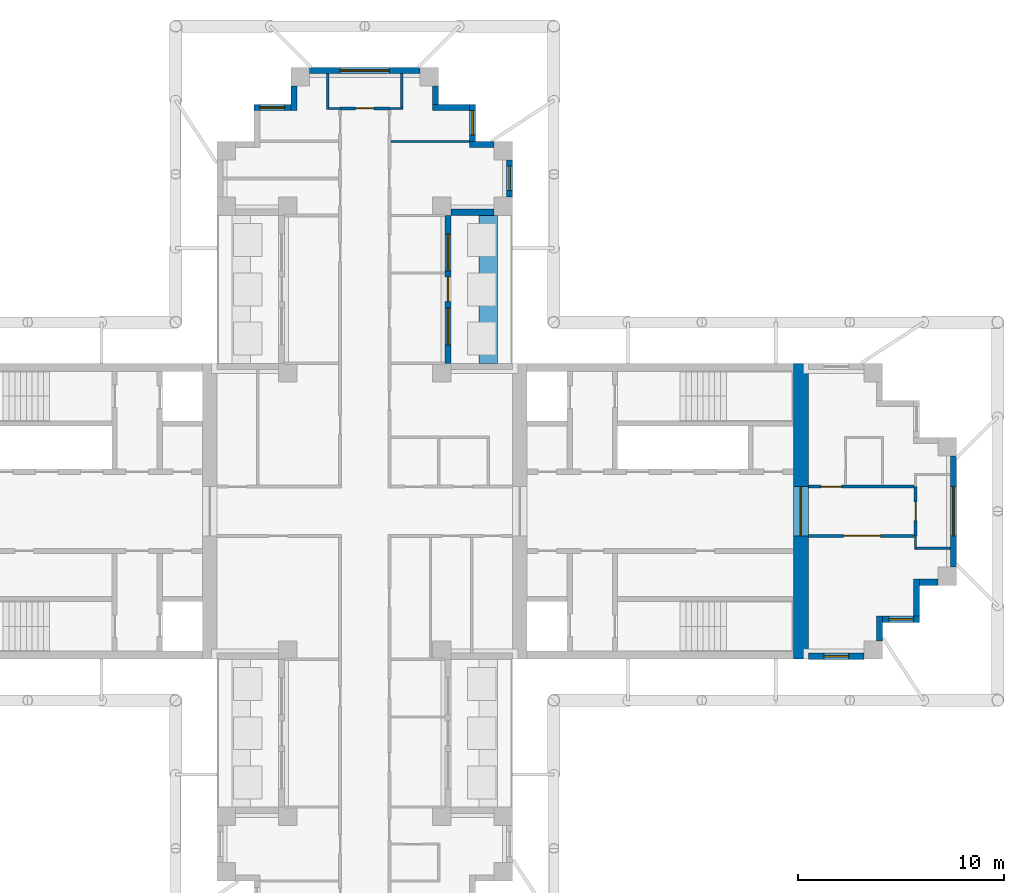
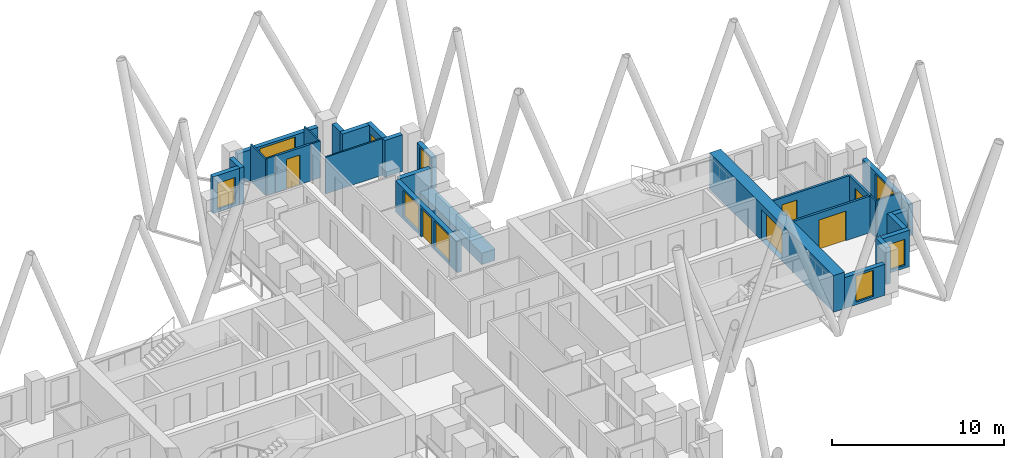
# One storey, part 8 of 12: 29 walls, 9 windows, 6 doors, 15 openings.
"""IFC4 building model written with IfcOpenShell, lengths in metres."""

from ifc_helpers import new_model, si_unit, direction, frame, frame_2d, origin, place, context, subcontext, project, spatial, rectangle, extrude, material, layer, layer_set, type_object, element, fill, save


model = new_model("IFC4")

# Units and contexts
model_context = context("Model", 3, precision=1e-05, world=origin(), true_north=direction((0.0, 1.0)))
body_context = subcontext(model_context, "Body", "Model", "MODEL_VIEW")
ifc_project = project(units=[si_unit("LENGTHUNIT", "METRE"), si_unit("AREAUNIT", "SQUARE_METRE"), si_unit("VOLUMEUNIT", "CUBIC_METRE"), si_unit("PLANEANGLEUNIT", "RADIAN"), si_unit("MASSUNIT", "GRAM", prefix="KILO")], contexts=[model_context])

# Site, building, storey
site_placement = place(None, origin())
site = spatial("IfcSite", under=ifc_project, at=site_placement, CompositionType="ELEMENT")
building_placement = place(site_placement, origin())
building = spatial("IfcBuilding", under=site, at=building_placement, Name="Fustian Cross Tower", CompositionType="ELEMENT")
storey_placement = place(building_placement, frame((0.0, 0.0, 188.699951171875)))
storey = spatial("IfcBuildingStorey", under=building, at=storey_placement, Name="L59", CompositionType="ELEMENT", Elevation=188.699951171875)

# Wall, opening, door
ifc_material_1 = material(Name="Plasterboard on steel stud", Category="steel")
ifc_layer_1 = layer(ifc_material_1, 0.14990234375)
ifc_layer_set_1 = layer_set([ifc_layer_1], Name="Plasterboard on steel stud")
wall_type_1 = type_object("IfcWallType", Name="COMPARTMENT WALL 150 EI 60", PredefinedType="PARTITIONING", material=ifc_layer_set_1)
wall_1_placement = place(storey_placement, frame((-1.199951171875, 19.60009765625, 0.0), z_axis=(0.0, 0.0, 1.0), x_axis=(1.0, 0.0, 0.0)))
wall_1 = element("IfcWall", 1, at=wall_1_placement, inside=storey, type_object=wall_type_1, Name="Partition 30", PredefinedType="PARTITIONING", context=body_context, shape_type="SweptSolid", body=[
    extrude(rectangle(XDim=2.39990234375, YDim=0.14990234375, at=frame_2d((1.199951171875, 0.0))), origin(), (0.0, 0.0, 1.0), 2.60009765625),
])
opening_1_placement = place(wall_1_placement, frame((0.75, 0.0, 0.0)))
opening_1 = element("IfcOpeningElement", 2, at=opening_1_placement, cuts=wall_1, Name="Opening D27014", PredefinedType="OPENING", context=body_context, shape_type="SweptSolid", body=[
    extrude(rectangle(XDim=0.89990234375, YDim=2.10009765625, at=frame_2d((0.449951171875, 1.050048828125))), frame((0.0, 0.0849609375, 0.0), z_axis=(0.0, -1.0, 0.0), x_axis=(1.0, 0.0, 0.0)), (0.0, 0.0, 1.0), 0.169921875),
])
ifc_material_2 = material(Name="Timber fire door set", Category="wood")
door_type_1 = type_object("IfcDoorType", Name="FIRE SWING DOOR 900 FD30S", OperationType="SINGLE_SWING_LEFT", PredefinedType="DOOR", material=ifc_material_2)
door_1_placement = place(opening_1_placement, origin())
door_1 = element("IfcDoor", 3, at=door_1_placement, inside=storey, type_object=door_type_1, Name="Door D27014", OperationType="SINGLE_SWING_LEFT", OverallHeight=2.10009765625, OverallWidth=0.89990234375, PredefinedType="DOOR", context=body_context, shape_type="SweptSolid", body=[
    extrude(rectangle(XDim=0.89990234375, YDim=2.10009765625, at=frame_2d((0.449951171875, 1.050048828125))), frame((0.0, 0.02490234375, 0.0), z_axis=(0.0, -1.0, 0.0), x_axis=(1.0, 0.0, 0.0)), (0.0, 0.0, 1.0), 0.050048828125),
])
fill(opening_1, door_1)

wall_2_placement = place(storey_placement, frame((21.60009765625, -1.199951171875, 0.0), z_axis=(0.0, 0.0, 1.0), x_axis=(1.0, 0.0, 0.0)))
wall_2 = element("IfcWall", 4, at=wall_2_placement, inside=storey, type_object=wall_type_1, Name="Partition 54", PredefinedType="PARTITIONING", context=body_context, shape_type="SweptSolid", body=[
    extrude(rectangle(XDim=5.125, YDim=0.14990234375, at=frame_2d((2.5625, 0.0))), origin(), (0.0, 0.0, 1.0), 2.60009765625),
])
opening_2_placement = place(wall_2_placement, frame((1.699951171875, 0.0, 0.0)))
opening_2 = element("IfcOpeningElement", 5, at=opening_2_placement, cuts=wall_2, Name="Opening D27013", PredefinedType="OPENING", context=body_context, shape_type="SweptSolid", body=[
    extrude(rectangle(XDim=1.800048828125, YDim=2.10009765625, at=frame_2d((0.89990234375, 1.050048828125))), frame((0.0, 0.0849609375, 0.0), z_axis=(0.0, -1.0, 0.0), x_axis=(1.0, 0.0, 0.0)), (0.0, 0.0, 1.0), 0.169921875),
])
ifc_material_3 = material(Name="Timber fire door set", Category="wood")
door_type_2 = type_object("IfcDoorType", Name="FIRE DOUBLE DOOR 1800 FD30S", OperationType="DOUBLE_DOOR_DOUBLE_SWING", PredefinedType="DOOR", material=ifc_material_3)
door_2_placement = place(opening_2_placement, origin())
door_2 = element("IfcDoor", 6, at=door_2_placement, inside=storey, type_object=door_type_2, Name="Door D27013", OperationType="DOUBLE_DOOR_DOUBLE_SWING", OverallHeight=2.10009765625, OverallWidth=1.800048828125, PredefinedType="DOOR", context=body_context, shape_type="SweptSolid", body=[
    extrude(rectangle(XDim=1.800048828125, YDim=2.10009765625, at=frame_2d((0.89990234375, 1.050048828125))), frame((0.0, 0.02490234375, 0.0), z_axis=(0.0, -1.0, 0.0), x_axis=(1.0, 0.0, 0.0)), (0.0, 0.0, 1.0), 0.050048828125),
])
fill(opening_2, door_2)

wall_3_placement = place(storey_placement, frame((21.60009765625, 1.199951171875, 0.0), z_axis=(0.0, 0.0, 1.0), x_axis=(1.0, 0.0, 0.0)))
wall_3 = element("IfcWall", 7, at=wall_3_placement, inside=storey, type_object=wall_type_1, Name="Partition 55", PredefinedType="PARTITIONING", context=body_context, shape_type="SweptSolid", body=[
    extrude(rectangle(XDim=5.125, YDim=0.14990234375, at=frame_2d((2.5625, 0.0))), origin(), (0.0, 0.0, 1.0), 2.60009765625),
])
opening_3_placement = place(wall_3_placement, frame((0.60009765625, 0.0, 0.0)))
opening_3 = element("IfcOpeningElement", 8, at=opening_3_placement, cuts=wall_3, Name="Opening D27012", PredefinedType="OPENING", context=body_context, shape_type="SweptSolid", body=[
    extrude(rectangle(XDim=1.0, YDim=2.10009765625, at=frame_2d((0.5, 1.050048828125))), frame((0.0, 0.0849609375, 0.0), z_axis=(0.0, -1.0, 0.0), x_axis=(1.0, 0.0, 0.0)), (0.0, 0.0, 1.0), 0.169921875),
])
ifc_material_4 = material(Name="Timber fire door set", Category="wood")
door_type_3 = type_object("IfcDoorType", Name="FIRE SWING DOOR 1000 FD30S", OperationType="SINGLE_SWING_LEFT", PredefinedType="DOOR", material=ifc_material_4)
door_3_placement = place(opening_3_placement, origin())
door_3 = element("IfcDoor", 9, at=door_3_placement, inside=storey, type_object=door_type_3, Name="Door D27012", OperationType="SINGLE_SWING_RIGHT", OverallHeight=2.10009765625, OverallWidth=1.0, PredefinedType="DOOR", context=body_context, shape_type="SweptSolid", body=[
    extrude(rectangle(XDim=1.0, YDim=2.10009765625, at=frame_2d((0.5, 1.050048828125))), frame((0.0, 0.02490234375, 0.0), z_axis=(0.0, -1.0, 0.0), x_axis=(1.0, 0.0, 0.0)), (0.0, 0.0, 1.0), 0.050048828125),
])
fill(opening_3, door_3)

wall_4_placement = place(storey_placement, frame((26.800048828125, -1.199951171875, 0.0), z_axis=(0.0, 0.0, 1.0), x_axis=(0.0, 1.0, 0.0)))
wall_4 = element("IfcWall", 10, at=wall_4_placement, inside=storey, type_object=wall_type_1, Name="Partition 61", PredefinedType="PARTITIONING", context=body_context, shape_type="SweptSolid", body=[
    extrude(rectangle(XDim=2.39990234375, YDim=0.14990234375, at=frame_2d((1.199951171875, 0.0))), origin(), (0.0, 0.0, 1.0), 2.60009765625),
])
opening_4_placement = place(wall_4_placement, frame((0.75, 0.0, 0.0)))
opening_4 = element("IfcOpeningElement", 11, at=opening_4_placement, cuts=wall_4, Name="Opening D27010", PredefinedType="OPENING", context=body_context, shape_type="SweptSolid", body=[
    extrude(rectangle(XDim=0.89990234375, YDim=2.10009765625, at=frame_2d((0.449951171875, 1.050048828125))), frame((0.0, 0.0849609375, 0.0), z_axis=(0.0, -1.0, 0.0), x_axis=(1.0, 0.0, 0.0)), (0.0, 0.0, 1.0), 0.169921875),
])
door_4_placement = place(opening_4_placement, frame((0.89990234375, 0.0, 0.0), z_axis=(0.0, 0.0, 1.0), x_axis=(-1.0, 0.0, 0.0)))
door_4 = element("IfcDoor", 12, at=door_4_placement, inside=storey, type_object=door_type_1, Name="Door D27010", OperationType="SINGLE_SWING_RIGHT", OverallHeight=2.10009765625, OverallWidth=0.89990234375, PredefinedType="DOOR", context=body_context, shape_type="SweptSolid", body=[
    extrude(rectangle(XDim=0.89990234375, YDim=2.10009765625, at=frame_2d((0.449951171875, 1.050048828125))), frame((0.0, 0.02490234375, 0.0), z_axis=(0.0, -1.0, 0.0), x_axis=(1.0, 0.0, 0.0)), (0.0, 0.0, 1.0), 0.050048828125),
])
fill(opening_4, door_4)

ifc_material_5 = material(Name="Concrete C50/60", Category="concrete")
ifc_layer_2 = layer(ifc_material_5, 0.75)
ifc_layer_set_2 = layer_set([ifc_layer_2], Name="Concrete C50/60")
wall_type_2 = type_object("IfcWallType", Name="CORE END WALL 750 C50/60", PredefinedType="SHEAR", material=ifc_layer_set_2)
wall_5_placement = place(storey_placement, frame((21.22509765625, -7.199951171875, 0.0), z_axis=(0.0, 0.0, 1.0), x_axis=(0.0, 1.0, 0.0)))
wall_5 = element("IfcWall", 13, at=wall_5_placement, inside=storey, type_object=wall_type_2, Name="Core end wall", PredefinedType="SHEAR", context=body_context, shape_type="SweptSolid", body=[
    extrude(rectangle(XDim=14.39990234375, YDim=0.75, at=frame_2d((7.199951171875, 0.0))), origin(), (0.0, 0.0, 1.0), 2.60009765625),
])
opening_5_placement = place(wall_5_placement, frame((6.0, 0.0, 0.0)))
opening_5 = element("IfcOpeningElement", 14, at=opening_5_placement, cuts=wall_5, Name="Opening CD-24-13", PredefinedType="OPENING", context=body_context, shape_type="SweptSolid", body=[
    extrude(rectangle(XDim=2.39990234375, YDim=2.199951171875, at=frame_2d((1.199951171875, 1.10009765625))), frame((0.0, 0.385009765625, 0.0), z_axis=(0.0, -1.0, 0.0), x_axis=(1.0, 0.0, 0.0)), (0.0, 0.0, 1.0), 0.77001953125),
])
ifc_material_6 = material(Name="Steel", Category="steel")
door_type_4 = type_object("IfcDoorType", Name="FIRE DOOR FD30S DOUBLE 2400X2200", OperationType="DOUBLE_DOOR_DOUBLE_SWING", PredefinedType="DOOR", material=ifc_material_6)
door_5_placement = place(opening_5_placement, origin())
door_5 = element("IfcDoor", 15, at=door_5_placement, inside=storey, type_object=door_type_4, Name="Core door CD-24-13", OperationType="DOUBLE_DOOR_DOUBLE_SWING", OverallHeight=2.199951171875, OverallWidth=2.39990234375, PredefinedType="DOOR", context=body_context, shape_type="SweptSolid", body=[
    extrude(rectangle(XDim=2.39990234375, YDim=2.199951171875, at=frame_2d((1.199951171875, 1.10009765625))), frame((0.0, 0.02490234375, 0.0), z_axis=(0.0, -1.0, 0.0), x_axis=(1.0, 0.0, 0.0)), (0.0, 0.0, 1.0), 0.050048828125),
])
fill(opening_5, door_5)

# Walls
ifc_material_7 = material(Name="Plasterboard on steel stud", Category="steel")
ifc_layer_3 = layer(ifc_material_7, 0.10009765625)
ifc_layer_set_3 = layer_set([ifc_layer_3], Name="Plasterboard on steel stud")
wall_type_3 = type_object("IfcWallType", Name="PARTITION 100 STUD", PredefinedType="PARTITIONING", material=ifc_layer_set_3)
wall_6_placement = place(storey_placement, frame((-1.800048828125, 19.550048828125, 0.0), z_axis=(0.0, 0.0, 1.0), x_axis=(0.0, 1.0, 0.0)))
element("IfcWall", 16, at=wall_6_placement, inside=storey, type_object=wall_type_3, Name="Partition 25", PredefinedType="PARTITIONING", context=body_context, shape_type="SweptSolid", body=[
    extrude(rectangle(XDim=1.75, YDim=0.10009765625, at=frame_2d((0.875, 0.0))), origin(), (0.0, 0.0, 1.0), 2.60009765625),
])
wall_7_placement = place(storey_placement, frame((-1.75, 19.60009765625, 0.0), z_axis=(0.0, 0.0, 1.0), x_axis=(1.0, 0.0, 0.0)))
element("IfcWall", 17, at=wall_7_placement, inside=storey, type_object=wall_type_3, Name="Partition 26", PredefinedType="PARTITIONING", context=body_context, shape_type="SweptSolid", body=[
    extrude(rectangle(XDim=0.550048828125, YDim=0.10009765625, at=frame_2d((0.27490234375, 0.0))), origin(), (0.0, 0.0, 1.0), 2.60009765625),
])
wall_8_placement = place(storey_placement, frame((1.27490234375, 18.0, 0.0), z_axis=(0.0, 0.0, 1.0), x_axis=(1.0, 0.0, 0.0)))
element("IfcWall", 18, at=wall_8_placement, inside=storey, type_object=wall_type_3, Name="Partition 45", PredefinedType="PARTITIONING", context=body_context, shape_type="SweptSolid", body=[
    extrude(rectangle(XDim=3.8251953125, YDim=0.10009765625, at=frame_2d((1.91259765625, 0.0))), origin(), (0.0, 0.0, 1.0), 2.60009765625),
])
wall_9_placement = place(storey_placement, frame((1.199951171875, 19.60009765625, 0.0), z_axis=(0.0, 0.0, 1.0), x_axis=(1.0, 0.0, 0.0)))
element("IfcWall", 19, at=wall_9_placement, inside=storey, type_object=wall_type_3, Name="Partition 46", PredefinedType="PARTITIONING", context=body_context, shape_type="SweptSolid", body=[
    extrude(rectangle(XDim=0.650146484375, YDim=0.10009765625, at=frame_2d((0.3251953125, 0.0))), origin(), (0.0, 0.0, 1.0), 2.60009765625),
])
wall_10_placement = place(storey_placement, frame((1.800048828125, 19.64990234375, 0.0), z_axis=(0.0, 0.0, 1.0), x_axis=(0.0, 1.0, 0.0)))
element("IfcWall", 20, at=wall_10_placement, inside=storey, type_object=wall_type_3, Name="Partition 48", PredefinedType="PARTITIONING", context=body_context, shape_type="SweptSolid", body=[
    extrude(rectangle(XDim=1.650146484375, YDim=0.10009765625, at=frame_2d((0.8251953125, 0.0))), origin(), (0.0, 0.0, 1.0), 2.60009765625),
])
wall_11_placement = place(storey_placement, frame((26.800048828125, -1.85009765625, 0.0), z_axis=(0.0, 0.0, 1.0), x_axis=(0.0, 1.0, 0.0)))
element("IfcWall", 21, at=wall_11_placement, inside=storey, type_object=wall_type_3, Name="Partition 59", PredefinedType="PARTITIONING", context=body_context, shape_type="SweptSolid", body=[
    extrude(rectangle(XDim=0.650146484375, YDim=0.10009765625, at=frame_2d((0.3251953125, 0.0))), origin(), (0.0, 0.0, 1.0), 2.60009765625),
])
wall_12_placement = place(storey_placement, frame((26.85009765625, -1.800048828125, 0.0), z_axis=(0.0, 0.0, 1.0), x_axis=(1.0, 0.0, 0.0)))
element("IfcWall", 22, at=wall_12_placement, inside=storey, type_object=wall_type_3, Name="Partition 60", PredefinedType="PARTITIONING", context=body_context, shape_type="SweptSolid", body=[
    extrude(rectangle(XDim=1.64990234375, YDim=0.10009765625, at=frame_2d((0.824951171875, 0.0))), origin(), (0.0, 0.0, 1.0), 2.60009765625),
])
ifc_material_8 = material(Name="Concrete C40/50", Category="concrete")
ifc_layer_4 = layer(ifc_material_8, 0.89990234375)
ifc_layer_set_4 = layer_set([ifc_layer_4], Name="Concrete C40/50")
wall_type_4 = type_object("IfcWallType", Name="PK1 PLANTER 900", PredefinedType="PARAPET", material=ifc_layer_set_4)
wall_13_placement = place(storey_placement, frame((6.0, 7.199951171875, 0.0), z_axis=(0.0, 0.0, 1.0), x_axis=(0.0, 1.0, 0.0)))
element("IfcWall", 23, at=wall_13_placement, inside=storey, type_object=wall_type_4, Name="PLANTER", PredefinedType="PARAPET", context=body_context, shape_type="SweptSolid", body=[
    extrude(rectangle(XDim=7.199951171875, YDim=0.89990234375, at=frame_2d((3.60009765625, 0.0))), origin(), (0.0, 0.0, 1.0), 0.800048828125),
])

# Wall, opening, window
ifc_material_9 = material(Name="Dark aluminium cladding on insulated backing wall", Category="aluminium")
ifc_layer_5 = layer(ifc_material_9, 0.300048828125)
ifc_layer_set_5 = layer_set([ifc_layer_5], Name="Dark aluminium cladding on insulated backing wall")
wall_type_5 = type_object("IfcWallType", Name="XW1 EXTERNAL WALL 300", PredefinedType="SOLIDWALL", material=ifc_layer_set_5)
wall_14_placement = place(storey_placement, frame((21.60009765625, -7.050048828125, 0.0), z_axis=(0.0, 0.0, 1.0), x_axis=(1.0, 0.0, 0.0)))
wall_14 = element("IfcWall", 24, at=wall_14_placement, inside=storey, type_object=wall_type_5, Name="External wall", PredefinedType="SOLIDWALL", context=body_context, shape_type="SweptSolid", body=[
    extrude(rectangle(XDim=2.699951171875, YDim=0.300048828125, at=frame_2d((1.35009765625, 0.0))), origin(), (0.0, 0.0, 1.0), 2.199951171875),
])
opening_6_placement = place(wall_14_placement, frame((0.75, 0.0, 0.199951171875)))
opening_6 = element("IfcOpeningElement", 25, at=opening_6_placement, cuts=wall_14, Name="Opening WN3", PredefinedType="OPENING", context=body_context, shape_type="SweptSolid", body=[
    extrude(rectangle(XDim=1.199951171875, YDim=1.85009765625, at=frame_2d((0.60009765625, 0.925048828125))), frame((0.0, 0.159912109375, 0.0), z_axis=(0.0, -1.0, 0.0), x_axis=(1.0, 0.0, 0.0)), (0.0, 0.0, 1.0), 0.320068359375),
])
ifc_material_10 = material(Name="Dark anodised aluminium and double glazing", Category="aluminium")
window_type_1 = type_object("IfcWindowType", Name="WN3 WINDOW 1200X1850", PartitioningType="SINGLE_PANEL", PredefinedType="WINDOW", material=ifc_material_10)
window_1_placement = place(opening_6_placement, origin())
window_1 = element("IfcWindow", 26, at=window_1_placement, inside=storey, type_object=window_type_1, Name="Window", OverallHeight=1.85009765625, OverallWidth=1.199951171875, PartitioningType="SINGLE_PANEL", PredefinedType="WINDOW", context=body_context, shape_type="SweptSolid", body=[
    extrude(rectangle(XDim=1.199951171875, YDim=1.85009765625, at=frame_2d((0.60009765625, 0.925048828125))), frame((0.0, 0.030029296875, 0.0), z_axis=(0.0, -1.0, 0.0), x_axis=(1.0, 0.0, 0.0)), (0.0, 0.0, 1.0), 0.06005859375),
])
fill(opening_6, window_1)

# Wall
wall_15_placement = place(storey_placement, frame((25.050048828125, -6.300048828125, 0.0), z_axis=(0.0, 0.0, 1.0), x_axis=(0.0, 1.0, 0.0)))
element("IfcWall", 27, at=wall_15_placement, inside=storey, type_object=wall_type_5, Name="External wall", PredefinedType="SOLIDWALL", context=body_context, shape_type="SweptSolid", body=[
    extrude(rectangle(XDim=1.199951171875, YDim=0.300048828125, at=frame_2d((0.60009765625, 0.0))), origin(), (0.0, 0.0, 1.0), 2.60009765625),
])

# Wall, opening, window
wall_16_placement = place(storey_placement, frame((25.199951171875, -5.25, 0.0), z_axis=(0.0, 0.0, 1.0), x_axis=(1.0, 0.0, 0.0)))
wall_16 = element("IfcWall", 28, at=wall_16_placement, inside=storey, type_object=wall_type_5, Name="External wall", PredefinedType="SOLIDWALL", context=body_context, shape_type="SweptSolid", body=[
    extrude(rectangle(XDim=1.800048828125, YDim=0.300048828125, at=frame_2d((0.89990234375, 0.0))), origin(), (0.0, 0.0, 1.0), 2.60009765625),
])
opening_7_placement = place(wall_16_placement, frame((0.300048828125, 0.0, 0.199951171875)))
opening_7 = element("IfcOpeningElement", 29, at=opening_7_placement, cuts=wall_16, Name="Opening WN3", PredefinedType="OPENING", context=body_context, shape_type="SweptSolid", body=[
    extrude(rectangle(XDim=1.199951171875, YDim=1.85009765625, at=frame_2d((0.60009765625, 0.925048828125))), frame((0.0, 0.159912109375, 0.0), z_axis=(0.0, -1.0, 0.0), x_axis=(1.0, 0.0, 0.0)), (0.0, 0.0, 1.0), 0.320068359375),
])
window_2_placement = place(opening_7_placement, origin())
window_2 = element("IfcWindow", 30, at=window_2_placement, inside=storey, type_object=window_type_1, Name="Window", OverallHeight=1.85009765625, OverallWidth=1.199951171875, PartitioningType="SINGLE_PANEL", PredefinedType="WINDOW", context=body_context, shape_type="SweptSolid", body=[
    extrude(rectangle(XDim=1.199951171875, YDim=1.85009765625, at=frame_2d((0.60009765625, 0.925048828125))), frame((0.0, 0.030029296875, 0.0), z_axis=(0.0, -1.0, 0.0), x_axis=(1.0, 0.0, 0.0)), (0.0, 0.0, 1.0), 0.06005859375),
])
fill(opening_7, window_2)

# Walls
wall_17_placement = place(storey_placement, frame((26.85009765625, -5.10009765625, 0.0), z_axis=(0.0, 0.0, 1.0), x_axis=(0.0, 1.0, 0.0)))
element("IfcWall", 31, at=wall_17_placement, inside=storey, type_object=wall_type_5, Name="External wall", PredefinedType="SOLIDWALL", context=body_context, shape_type="SweptSolid", body=[
    extrude(rectangle(XDim=1.800048828125, YDim=0.300048828125, at=frame_2d((0.89990234375, 0.0))), origin(), (0.0, 0.0, 1.0), 2.60009765625),
])
wall_18_placement = place(storey_placement, frame((27.0, -3.449951171875, 0.0), z_axis=(0.0, 0.0, 1.0), x_axis=(1.0, 0.0, 0.0)))
element("IfcWall", 32, at=wall_18_placement, inside=storey, type_object=wall_type_5, Name="External wall", PredefinedType="SOLIDWALL", context=body_context, shape_type="SweptSolid", body=[
    extrude(rectangle(XDim=0.89990234375, YDim=0.300048828125, at=frame_2d((0.449951171875, 0.0))), origin(), (0.0, 0.0, 1.0), 2.60009765625),
])

# Wall, opening, window
wall_19_placement = place(storey_placement, frame((28.64990234375, -2.699951171875, 0.0), z_axis=(0.0, 0.0, 1.0), x_axis=(0.0, 1.0, 0.0)))
wall_19 = element("IfcWall", 33, at=wall_19_placement, inside=storey, type_object=wall_type_5, Name="External wall", PredefinedType="SOLIDWALL", context=body_context, shape_type="SweptSolid", body=[
    extrude(rectangle(XDim=5.39990234375, YDim=0.300048828125, at=frame_2d((2.699951171875, 0.0))), origin(), (0.0, 0.0, 1.0), 2.199951171875),
])
opening_8_placement = place(wall_19_placement, frame((1.5, 0.0, 0.199951171875)))
opening_8 = element("IfcOpeningElement", 34, at=opening_8_placement, cuts=wall_19, Name="Opening WN1", PredefinedType="OPENING", context=body_context, shape_type="SweptSolid", body=[
    extrude(rectangle(XDim=2.39990234375, YDim=1.85009765625, at=frame_2d((1.199951171875, 0.925048828125))), frame((0.0, 0.159912109375, 0.0), z_axis=(0.0, -1.0, 0.0), x_axis=(1.0, 0.0, 0.0)), (0.0, 0.0, 1.0), 0.320068359375),
])
ifc_material_11 = material(Name="Dark anodised aluminium and double glazing", Category="aluminium")
window_type_2 = type_object("IfcWindowType", Name="WN1 WINDOW 2400X1850", PartitioningType="SINGLE_PANEL", PredefinedType="WINDOW", material=ifc_material_11)
window_3_placement = place(opening_8_placement, origin())
window_3 = element("IfcWindow", 35, at=window_3_placement, inside=storey, type_object=window_type_2, Name="Window", OverallHeight=1.85009765625, OverallWidth=2.39990234375, PartitioningType="SINGLE_PANEL", PredefinedType="WINDOW", context=body_context, shape_type="SweptSolid", body=[
    extrude(rectangle(XDim=2.39990234375, YDim=1.85009765625, at=frame_2d((1.199951171875, 0.925048828125))), frame((0.0, 0.030029296875, 0.0), z_axis=(0.0, -1.0, 0.0), x_axis=(1.0, 0.0, 0.0)), (0.0, 0.0, 1.0), 0.06005859375),
])
fill(opening_8, window_3)

# Wall, openings, door, windows
wall_20_placement = place(storey_placement, frame((4.050048828125, 7.199951171875, 0.0), z_axis=(0.0, 0.0, 1.0), x_axis=(0.0, 1.0, 0.0)))
wall_20 = element("IfcWall", 36, at=wall_20_placement, inside=storey, type_object=wall_type_5, Name="External wall", PredefinedType="SOLIDWALL", context=body_context, shape_type="SweptSolid", body=[
    extrude(rectangle(XDim=7.199951171875, YDim=0.300048828125, at=frame_2d((3.60009765625, 0.0))), origin(), (0.0, 0.0, 1.0), 2.199951171875),
])
opening_9_placement = place(wall_20_placement, frame((3.0, 0.0, 0.0)))
opening_9 = element("IfcOpeningElement", 37, at=opening_9_placement, cuts=wall_20, Name="Opening XD1", PredefinedType="OPENING", context=body_context, shape_type="SweptSolid", body=[
    extrude(rectangle(XDim=1.199951171875, YDim=2.050048828125, at=frame_2d((0.60009765625, 1.02490234375))), frame((0.0, 0.159912109375, 0.0), z_axis=(0.0, -1.0, 0.0), x_axis=(1.0, 0.0, 0.0)), (0.0, 0.0, 1.0), 0.320068359375),
])
opening_10_placement = place(wall_20_placement, frame((0.89990234375, 0.0, 0.199951171875)))
opening_10 = element("IfcOpeningElement", 38, at=opening_10_placement, cuts=wall_20, Name="Opening WN2", PredefinedType="OPENING", context=body_context, shape_type="SweptSolid", body=[
    extrude(rectangle(XDim=1.800048828125, YDim=1.85009765625, at=frame_2d((0.89990234375, 0.925048828125))), frame((0.0, 0.159912109375, 0.0), z_axis=(0.0, -1.0, 0.0), x_axis=(1.0, 0.0, 0.0)), (0.0, 0.0, 1.0), 0.320068359375),
])
opening_11_placement = place(wall_20_placement, frame((4.5, 0.0, 0.199951171875)))
opening_11 = element("IfcOpeningElement", 39, at=opening_11_placement, cuts=wall_20, Name="Opening WN2", PredefinedType="OPENING", context=body_context, shape_type="SweptSolid", body=[
    extrude(rectangle(XDim=1.800048828125, YDim=1.85009765625, at=frame_2d((0.89990234375, 0.925048828125))), frame((0.0, 0.159912109375, 0.0), z_axis=(0.0, -1.0, 0.0), x_axis=(1.0, 0.0, 0.0)), (0.0, 0.0, 1.0), 0.320068359375),
])
ifc_material_12 = material(Name="Dark anodised aluminium and double glazing", Category="aluminium")
door_type_5 = type_object("IfcDoorType", Name="ED1 BALCONY DOOR 1200X2050", OperationType="SINGLE_SWING_LEFT", PredefinedType="DOOR", material=ifc_material_12)
door_6_placement = place(opening_9_placement, origin())
door_6 = element("IfcDoor", 40, at=door_6_placement, inside=storey, type_object=door_type_5, Name="Balcony door", OperationType="SINGLE_SWING_LEFT", OverallHeight=2.050048828125, OverallWidth=1.199951171875, PredefinedType="DOOR", context=body_context, shape_type="SweptSolid", body=[
    extrude(rectangle(XDim=1.199951171875, YDim=2.050048828125, at=frame_2d((0.60009765625, 1.02490234375))), frame((0.0, 0.02490234375, 0.0), z_axis=(0.0, -1.0, 0.0), x_axis=(1.0, 0.0, 0.0)), (0.0, 0.0, 1.0), 0.050048828125),
])
fill(opening_9, door_6)
ifc_material_13 = material(Name="Dark anodised aluminium and double glazing", Category="aluminium")
window_type_3 = type_object("IfcWindowType", Name="WN2 WINDOW 1800X1850", PartitioningType="SINGLE_PANEL", PredefinedType="WINDOW", material=ifc_material_13)
window_4_placement = place(opening_10_placement, origin())
window_4 = element("IfcWindow", 41, at=window_4_placement, inside=storey, type_object=window_type_3, Name="Window", OverallHeight=1.85009765625, OverallWidth=1.800048828125, PartitioningType="SINGLE_PANEL", PredefinedType="WINDOW", context=body_context, shape_type="SweptSolid", body=[
    extrude(rectangle(XDim=1.800048828125, YDim=1.85009765625, at=frame_2d((0.89990234375, 0.925048828125))), frame((0.0, 0.030029296875, 0.0), z_axis=(0.0, -1.0, 0.0), x_axis=(1.0, 0.0, 0.0)), (0.0, 0.0, 1.0), 0.06005859375),
])
fill(opening_10, window_4)
window_5_placement = place(opening_11_placement, origin())
window_5 = element("IfcWindow", 42, at=window_5_placement, inside=storey, type_object=window_type_3, Name="Window", OverallHeight=1.85009765625, OverallWidth=1.800048828125, PartitioningType="SINGLE_PANEL", PredefinedType="WINDOW", context=body_context, shape_type="SweptSolid", body=[
    extrude(rectangle(XDim=1.800048828125, YDim=1.85009765625, at=frame_2d((0.89990234375, 0.925048828125))), frame((0.0, 0.030029296875, 0.0), z_axis=(0.0, -1.0, 0.0), x_axis=(1.0, 0.0, 0.0)), (0.0, 0.0, 1.0), 0.06005859375),
])
fill(opening_11, window_5)

# Wall
wall_21_placement = place(storey_placement, frame((4.199951171875, 14.550048828125, 0.0), z_axis=(0.0, 0.0, 1.0), x_axis=(1.0, 0.0, 0.0)))
element("IfcWall", 43, at=wall_21_placement, inside=storey, type_object=wall_type_5, Name="External wall", PredefinedType="SOLIDWALL", context=body_context, shape_type="SweptSolid", body=[
    extrude(rectangle(XDim=2.10009765625, YDim=0.300048828125, at=frame_2d((1.050048828125, 0.0))), origin(), (0.0, 0.0, 1.0), 2.199951171875),
])

# Wall, opening, window
wall_22_placement = place(storey_placement, frame((7.050048828125, 15.300048828125, 0.0), z_axis=(0.0, 0.0, 1.0), x_axis=(0.0, 1.0, 0.0)))
wall_22 = element("IfcWall", 44, at=wall_22_placement, inside=storey, type_object=wall_type_5, Name="External wall", PredefinedType="SOLIDWALL", context=body_context, shape_type="SweptSolid", body=[
    extrude(rectangle(XDim=1.800048828125, YDim=0.300048828125, at=frame_2d((0.89990234375, 0.0))), origin(), (0.0, 0.0, 1.0), 2.199951171875),
])
opening_12_placement = place(wall_22_placement, frame((0.300048828125, 0.0, 0.199951171875)))
opening_12 = element("IfcOpeningElement", 45, at=opening_12_placement, cuts=wall_22, Name="Opening WN3", PredefinedType="OPENING", context=body_context, shape_type="SweptSolid", body=[
    extrude(rectangle(XDim=1.199951171875, YDim=1.85009765625, at=frame_2d((0.60009765625, 0.925048828125))), frame((0.0, 0.159912109375, 0.0), z_axis=(0.0, -1.0, 0.0), x_axis=(1.0, 0.0, 0.0)), (0.0, 0.0, 1.0), 0.320068359375),
])
window_6_placement = place(opening_12_placement, origin())
window_6 = element("IfcWindow", 46, at=window_6_placement, inside=storey, type_object=window_type_1, Name="Window", OverallHeight=1.85009765625, OverallWidth=1.199951171875, PartitioningType="SINGLE_PANEL", PredefinedType="WINDOW", context=body_context, shape_type="SweptSolid", body=[
    extrude(rectangle(XDim=1.199951171875, YDim=1.85009765625, at=frame_2d((0.60009765625, 0.925048828125))), frame((0.0, 0.030029296875, 0.0), z_axis=(0.0, -1.0, 0.0), x_axis=(1.0, 0.0, 0.0)), (0.0, 0.0, 1.0), 0.06005859375),
])
fill(opening_12, window_6)

# Wall
wall_23_placement = place(storey_placement, frame((6.300048828125, 17.85009765625, 0.0), z_axis=(0.0, 0.0, 1.0), x_axis=(-1.0, 0.0, 0.0)))
element("IfcWall", 47, at=wall_23_placement, inside=storey, type_object=wall_type_5, Name="External wall", PredefinedType="SOLIDWALL", context=body_context, shape_type="SweptSolid", body=[
    extrude(rectangle(XDim=1.199951171875, YDim=0.300048828125, at=frame_2d((0.60009765625, 0.0))), origin(), (0.0, 0.0, 1.0), 2.60009765625),
])

# Wall, opening, window
wall_24_placement = place(storey_placement, frame((5.25, 18.0, 0.0), z_axis=(0.0, 0.0, 1.0), x_axis=(0.0, 1.0, 0.0)))
wall_24 = element("IfcWall", 48, at=wall_24_placement, inside=storey, type_object=wall_type_5, Name="External wall", PredefinedType="SOLIDWALL", context=body_context, shape_type="SweptSolid", body=[
    extrude(rectangle(XDim=1.800048828125, YDim=0.300048828125, at=frame_2d((0.89990234375, 0.0))), origin(), (0.0, 0.0, 1.0), 2.60009765625),
])
opening_13_placement = place(wall_24_placement, frame((0.300048828125, 0.0, 0.199951171875)))
opening_13 = element("IfcOpeningElement", 49, at=opening_13_placement, cuts=wall_24, Name="Opening WN3", PredefinedType="OPENING", context=body_context, shape_type="SweptSolid", body=[
    extrude(rectangle(XDim=1.199951171875, YDim=1.85009765625, at=frame_2d((0.60009765625, 0.925048828125))), frame((0.0, 0.159912109375, 0.0), z_axis=(0.0, -1.0, 0.0), x_axis=(1.0, 0.0, 0.0)), (0.0, 0.0, 1.0), 0.320068359375),
])
window_7_placement = place(opening_13_placement, origin())
window_7 = element("IfcWindow", 50, at=window_7_placement, inside=storey, type_object=window_type_1, Name="Window", OverallHeight=1.85009765625, OverallWidth=1.199951171875, PartitioningType="SINGLE_PANEL", PredefinedType="WINDOW", context=body_context, shape_type="SweptSolid", body=[
    extrude(rectangle(XDim=1.199951171875, YDim=1.85009765625, at=frame_2d((0.60009765625, 0.925048828125))), frame((0.0, 0.030029296875, 0.0), z_axis=(0.0, -1.0, 0.0), x_axis=(1.0, 0.0, 0.0)), (0.0, 0.0, 1.0), 0.06005859375),
])
fill(opening_13, window_7)

# Walls
wall_25_placement = place(storey_placement, frame((5.10009765625, 19.64990234375, 0.0), z_axis=(0.0, 0.0, 1.0), x_axis=(-1.0, 0.0, 0.0)))
element("IfcWall", 51, at=wall_25_placement, inside=storey, type_object=wall_type_5, Name="External wall", PredefinedType="SOLIDWALL", context=body_context, shape_type="SweptSolid", body=[
    extrude(rectangle(XDim=1.800048828125, YDim=0.300048828125, at=frame_2d((0.89990234375, 0.0))), origin(), (0.0, 0.0, 1.0), 2.60009765625),
])
wall_26_placement = place(storey_placement, frame((3.449951171875, 19.800048828125, 0.0), z_axis=(0.0, 0.0, 1.0), x_axis=(0.0, 1.0, 0.0)))
element("IfcWall", 52, at=wall_26_placement, inside=storey, type_object=wall_type_5, Name="External wall", PredefinedType="SOLIDWALL", context=body_context, shape_type="SweptSolid", body=[
    extrude(rectangle(XDim=0.89990234375, YDim=0.300048828125, at=frame_2d((0.449951171875, 0.0))), origin(), (0.0, 0.0, 1.0), 2.60009765625),
])

# Wall, opening, window
wall_27_placement = place(storey_placement, frame((2.699951171875, 21.449951171875, 0.0), z_axis=(0.0, 0.0, 1.0), x_axis=(-1.0, 0.0, 0.0)))
wall_27 = element("IfcWall", 53, at=wall_27_placement, inside=storey, type_object=wall_type_5, Name="External wall", PredefinedType="SOLIDWALL", context=body_context, shape_type="SweptSolid", body=[
    extrude(rectangle(XDim=5.39990234375, YDim=0.300048828125, at=frame_2d((2.699951171875, 0.0))), origin(), (0.0, 0.0, 1.0), 2.199951171875),
])
opening_14_placement = place(wall_27_placement, frame((1.5, 0.0, 0.199951171875)))
opening_14 = element("IfcOpeningElement", 54, at=opening_14_placement, cuts=wall_27, Name="Opening WN1", PredefinedType="OPENING", context=body_context, shape_type="SweptSolid", body=[
    extrude(rectangle(XDim=2.39990234375, YDim=1.85009765625, at=frame_2d((1.199951171875, 0.925048828125))), frame((0.0, 0.159912109375, 0.0), z_axis=(0.0, -1.0, 0.0), x_axis=(1.0, 0.0, 0.0)), (0.0, 0.0, 1.0), 0.320068359375),
])
window_8_placement = place(opening_14_placement, origin())
window_8 = element("IfcWindow", 55, at=window_8_placement, inside=storey, type_object=window_type_2, Name="Window", OverallHeight=1.85009765625, OverallWidth=2.39990234375, PartitioningType="SINGLE_PANEL", PredefinedType="WINDOW", context=body_context, shape_type="SweptSolid", body=[
    extrude(rectangle(XDim=2.39990234375, YDim=1.85009765625, at=frame_2d((1.199951171875, 0.925048828125))), frame((0.0, 0.030029296875, 0.0), z_axis=(0.0, -1.0, 0.0), x_axis=(1.0, 0.0, 0.0)), (0.0, 0.0, 1.0), 0.06005859375),
])
fill(opening_14, window_8)

# Wall
wall_28_placement = place(storey_placement, frame((-3.449951171875, 20.699951171875, 0.0), z_axis=(0.0, 0.0, 1.0), x_axis=(0.0, -1.0, 0.0)))
element("IfcWall", 56, at=wall_28_placement, inside=storey, type_object=wall_type_5, Name="External wall", PredefinedType="SOLIDWALL", context=body_context, shape_type="SweptSolid", body=[
    extrude(rectangle(XDim=1.199951171875, YDim=0.300048828125, at=frame_2d((0.60009765625, 0.0))), origin(), (0.0, 0.0, 1.0), 2.60009765625),
])

# Wall, opening, window
wall_29_placement = place(storey_placement, frame((-3.60009765625, 19.64990234375, 0.0), z_axis=(0.0, 0.0, 1.0), x_axis=(-1.0, 0.0, 0.0)))
wall_29 = element("IfcWall", 57, at=wall_29_placement, inside=storey, type_object=wall_type_5, Name="External wall", PredefinedType="SOLIDWALL", context=body_context, shape_type="SweptSolid", body=[
    extrude(rectangle(XDim=1.7998046875, YDim=0.300048828125, at=frame_2d((0.89990234375, 0.0))), origin(), (0.0, 0.0, 1.0), 2.60009765625),
])
opening_15_placement = place(wall_29_placement, frame((0.300048828125, 0.0, 0.199951171875)))
opening_15 = element("IfcOpeningElement", 58, at=opening_15_placement, cuts=wall_29, Name="Opening WN3", PredefinedType="OPENING", context=body_context, shape_type="SweptSolid", body=[
    extrude(rectangle(XDim=1.199951171875, YDim=1.85009765625, at=frame_2d((0.60009765625, 0.925048828125))), frame((0.0, 0.159912109375, 0.0), z_axis=(0.0, -1.0, 0.0), x_axis=(1.0, 0.0, 0.0)), (0.0, 0.0, 1.0), 0.320068359375),
])
window_9_placement = place(opening_15_placement, origin())
window_9 = element("IfcWindow", 59, at=window_9_placement, inside=storey, type_object=window_type_1, Name="Window", OverallHeight=1.85009765625, OverallWidth=1.199951171875, PartitioningType="SINGLE_PANEL", PredefinedType="WINDOW", context=body_context, shape_type="SweptSolid", body=[
    extrude(rectangle(XDim=1.199951171875, YDim=1.85009765625, at=frame_2d((0.60009765625, 0.925048828125))), frame((0.0, 0.030029296875, 0.0), z_axis=(0.0, -1.0, 0.0), x_axis=(1.0, 0.0, 0.0)), (0.0, 0.0, 1.0), 0.06005859375),
])
fill(opening_15, window_9)

save(model, "model.ifc")
